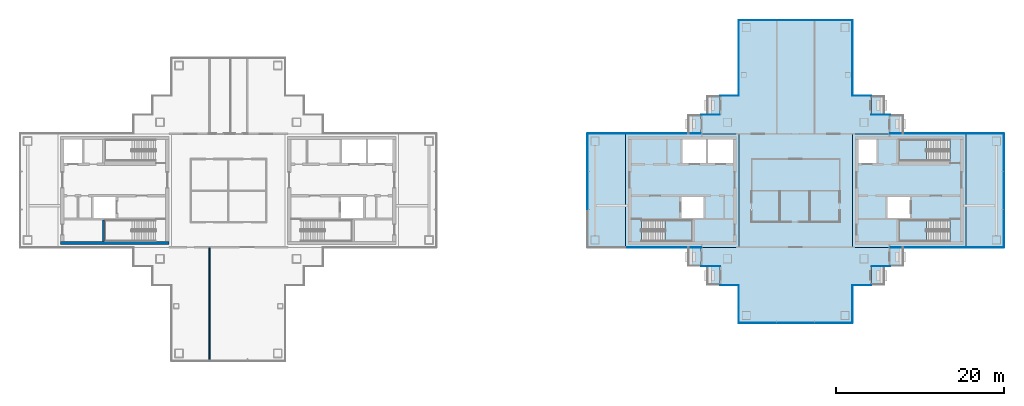
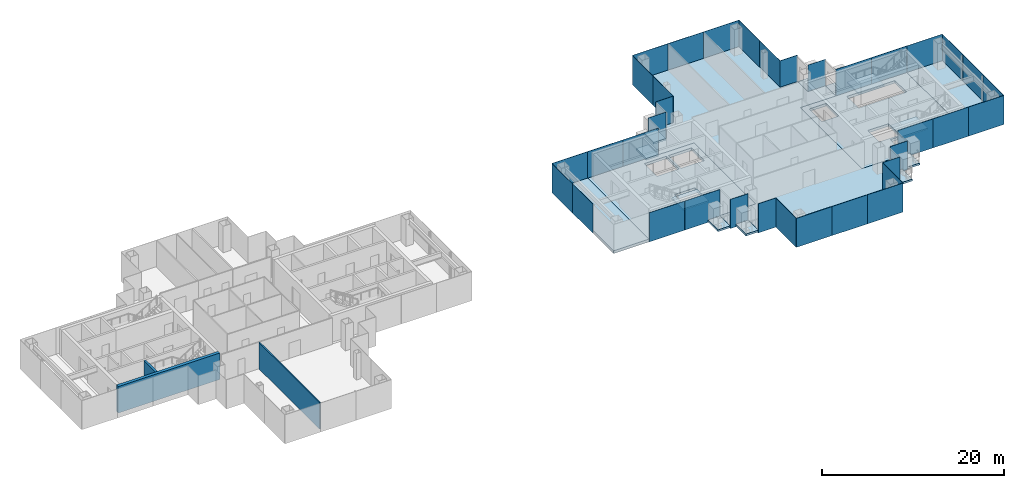
# One storey, part 8 of 16: 36 plates, 16 slabs, 3 walls, 22 elements without a shape of their own.
"""IFC4 building model written with IfcOpenShell, lengths in metres."""

from ifc_helpers import new_model, si_unit, direction, frame, frame_2d, origin, origin_2d, place, context, subcontext, project, spatial, polyline, rectangle, outline, extrude, material, layer, layer_set, type_object, element, aggregate, save


model = new_model("IFC4")

# Units and contexts
model_context = context("Model", 3, precision=1e-05, world=origin(), true_north=direction((0.0, 1.0)))
body_context = subcontext(model_context, "Body", "Model", "MODEL_VIEW")
ifc_project = project(units=[si_unit("LENGTHUNIT", "METRE"), si_unit("AREAUNIT", "SQUARE_METRE"), si_unit("VOLUMEUNIT", "CUBIC_METRE"), si_unit("PLANEANGLEUNIT", "RADIAN"), si_unit("MASSUNIT", "GRAM", prefix="KILO")], contexts=[model_context])

# Site, building, storey
site_placement = place(None, origin())
site = spatial("IfcSite", under=ifc_project, at=site_placement, CompositionType="ELEMENT")
building_placement = place(site_placement, origin())
building = spatial("IfcBuilding", under=site, at=building_placement, Name="Shamsa Quay Exchange Towers", CompositionType="ELEMENT")
storey_placement = place(building_placement, frame((0.0, 0.0, 186.60009765625)))
storey = spatial("IfcBuildingStorey", under=building, at=storey_placement, Name="L44", CompositionType="ELEMENT", Elevation=186.60009765625)

# Slabs
ifc_material_1 = material(Name="Precast concrete C40/50", Category="concrete")
ifc_layer_1 = layer(ifc_material_1, 0.25)
ifc_layer_set_1 = layer_set([ifc_layer_1], Name="BALCONY SLAB 250")
slab_type_1 = type_object("IfcSlabType", Name="BALCONY SLAB 250", PredefinedType="FLOOR", material=ifc_layer_set_1)
slab_1_placement = place(storey_placement, frame((0.0, 0.0, -0.25)))
element("IfcSlab", 1, at=slab_1_placement, inside=storey, type_object=slab_type_1, Name="Balcony T2-PKEN L44", PredefinedType="FLOOR", context=body_context, shape_type="SweptSolid", body=[
    extrude(outline(polyline([(24.75, 11.25), (24.75, 9.0380859375), (23.199951171875, 9.0380859375), (23.199951171875, 11.25), (24.75, 11.25)])), origin(), (0.0, 0.0, 1.0), 0.25),
])
slab_2_placement = place(storey_placement, frame((0.0, 0.0, -0.25)))
element("IfcSlab", 2, at=slab_2_placement, inside=storey, type_object=slab_type_1, Name="Balcony T2-PKEN L44", PredefinedType="FLOOR", context=body_context, shape_type="SweptSolid", body=[
    extrude(outline(polyline([(22.5, 9.0), (22.5, 6.7880859375), (20.949951171875, 6.7880859375), (20.949951171875, 9.0), (22.5, 9.0)])), origin(), (0.0, 0.0, 1.0), 0.25),
])
slab_3_placement = place(storey_placement, frame((0.0, 0.0, -0.25)))
element("IfcSlab", 3, at=slab_3_placement, inside=storey, type_object=slab_type_1, Name="Balcony T2-PKES L44", PredefinedType="FLOOR", context=body_context, shape_type="SweptSolid", body=[
    extrude(outline(polyline([(42.75, 9.0380859375), (42.75, 11.25), (44.300048828125, 11.25), (44.300048828125, 9.0380859375), (42.75, 9.0380859375)])), origin(), (0.0, 0.0, 1.0), 0.25),
])
slab_4_placement = place(storey_placement, frame((0.0, 0.0, -0.25)))
element("IfcSlab", 4, at=slab_4_placement, inside=storey, type_object=slab_type_1, Name="Balcony T2-PKES L44", PredefinedType="FLOOR", context=body_context, shape_type="SweptSolid", body=[
    extrude(outline(polyline([(45.0, 6.7880859375), (45.0, 9.0), (46.550048828125, 9.0), (46.550048828125, 6.7880859375), (45.0, 6.7880859375)])), origin(), (0.0, 0.0, 1.0), 0.25),
])
slab_5_placement = place(storey_placement, frame((0.0, 0.0, -0.25)))
element("IfcSlab", 5, at=slab_5_placement, inside=storey, type_object=slab_type_1, Name="Balcony T2-PKWN L44", PredefinedType="FLOOR", context=body_context, shape_type="SweptSolid", body=[
    extrude(outline(polyline([(22.5, -6.7880859375), (22.5, -9.0), (20.949951171875, -9.0), (20.949951171875, -6.7880859375), (22.5, -6.7880859375)])), origin(), (0.0, 0.0, 1.0), 0.25),
])
slab_6_placement = place(storey_placement, frame((0.0, 0.0, -0.25)))
element("IfcSlab", 6, at=slab_6_placement, inside=storey, type_object=slab_type_1, Name="Balcony T2-PKWN L44", PredefinedType="FLOOR", context=body_context, shape_type="SweptSolid", body=[
    extrude(outline(polyline([(24.75, -9.0380859375), (24.75, -11.25), (23.199951171875, -11.25), (23.199951171875, -9.0380859375), (24.75, -9.0380859375)])), origin(), (0.0, 0.0, 1.0), 0.25),
])
slab_7_placement = place(storey_placement, frame((0.0, 0.0, -0.25)))
element("IfcSlab", 7, at=slab_7_placement, inside=storey, type_object=slab_type_1, Name="Balcony T2-PKWS L44", PredefinedType="FLOOR", context=body_context, shape_type="SweptSolid", body=[
    extrude(outline(polyline([(42.75, -11.25), (42.75, -9.0380859375), (44.300048828125, -9.0380859375), (44.300048828125, -11.25), (42.75, -11.25)])), origin(), (0.0, 0.0, 1.0), 0.25),
])
slab_8_placement = place(storey_placement, frame((0.0, 0.0, -0.25)))
element("IfcSlab", 8, at=slab_8_placement, inside=storey, type_object=slab_type_1, Name="Balcony T2-PKWS L44", PredefinedType="FLOOR", context=body_context, shape_type="SweptSolid", body=[
    extrude(outline(polyline([(45.0, -9.0), (45.0, -6.7880859375), (46.550048828125, -6.7880859375), (46.550048828125, -9.0), (45.0, -9.0)])), origin(), (0.0, 0.0, 1.0), 0.25),
])
ifc_material_2 = material(Name="Concrete C50/60", Category="concrete")
ifc_layer_2 = layer(ifc_material_2, 0.35009765625)
ifc_layer_set_2 = layer_set([ifc_layer_2], Name="CORE FLOOR 350 C50/60")
slab_type_2 = type_object("IfcSlabType", Name="CORE FLOOR 350 C50/60", PredefinedType="FLOOR", material=ifc_layer_set_2)
slab_9_placement = place(storey_placement, frame((0.0, 0.0, -0.35009765625)))
element("IfcSlab", 9, at=slab_9_placement, inside=storey, type_object=slab_type_2, Name="Core floor T2A", PredefinedType="FLOOR", context=body_context, shape_type="SweptSolid", body=[
    extrude(outline(polyline([(13.5, -6.75), (27.0, -6.75), (27.0, 6.75), (13.5, 6.75), (13.5, -6.75)]), holes=[polyline([(15.400634765625, -6.050048828125), (15.400634765625, -3.5), (21.5, -3.5), (21.5, -6.050048828125), (15.400634765625, -6.050048828125)]), polyline([(20.300048828125, 3.25), (20.300048828125, 6.050048828125), (23.10009765625, 6.050048828125), (23.10009765625, 3.25), (20.300048828125, 3.25)]), polyline([(23.35009765625, 3.25), (23.35009765625, 6.050048828125), (26.300048828125, 6.050048828125), (26.300048828125, 3.25), (23.35009765625, 3.25)]), polyline([(20.14990234375, -3.25), (20.14990234375, -0.75), (22.800048828125, -0.75), (22.800048828125, -3.25), (20.14990234375, -3.25)])]), origin(), (0.0, 0.0, 1.0), 0.35009765625),
])
slab_10_placement = place(storey_placement, frame((0.0, 0.0, -0.35009765625)))
element("IfcSlab", 10, at=slab_10_placement, inside=storey, type_object=slab_type_2, Name="Core floor T2B", PredefinedType="FLOOR", context=body_context, shape_type="SweptSolid", body=[
    extrude(outline(polyline([(54.0, -6.75), (54.0, 6.75), (40.5, 6.75), (40.5, -6.75), (54.0, -6.75)]), holes=[polyline([(52.099365234375, -3.5), (52.099365234375, -6.050048828125), (46.0, -6.050048828125), (46.0, -3.5), (52.099365234375, -3.5)]), polyline([(52.099365234375, 6.050048828125), (52.099365234375, 3.5), (46.0, 3.5), (46.0, 6.050048828125), (52.099365234375, 6.050048828125)]), polyline([(43.35009765625, 3.25), (41.199951171875, 3.25), (41.199951171875, 6.050048828125), (43.35009765625, 6.050048828125), (43.35009765625, 3.25)]), polyline([(47.35009765625, -3.25), (44.699951171875, -3.25), (44.699951171875, -0.75), (47.35009765625, -0.75), (47.35009765625, -3.25)])]), origin(), (0.0, 0.0, 1.0), 0.35009765625),
])

# Stair, slab
ifc_material_3 = material(Name="Concrete C40/50", Category="concrete")
stair_type = type_object("IfcStairType", Name="EXIT STAIR 22 RISERS 177 MM", PredefinedType="HALF_TURN_STAIR", material=ifc_material_3)
stair_1_placement = place(storey_placement, origin())
stair_1 = element("IfcStair", 11, at=stair_1_placement, inside=storey, type_object=stair_type, Name="L44 Exit stair ST4", PredefinedType="HALF_TURN_STAIR")
ifc_layer_3 = layer(ifc_material_3, 0.199951171875)
ifc_layer_set_3 = layer_set([ifc_layer_3], Name="CORE STAIR LANDING")
slab_type_3 = type_object("IfcSlabType", Name="CORE STAIR LANDING", PredefinedType="LANDING", material=ifc_layer_set_3)
slab_11_placement = place(storey_placement, frame((0.0, 0.0, 1.75)))
slab_11 = element("IfcSlab", 12, at=slab_11_placement, type_object=slab_type_3, Name="ST4 landing 1", PredefinedType="LANDING", context=body_context, shape_type="SweptSolid", body=[
    extrude(outline(polyline([(18.199951171875, -6.050048828125), (21.5, -6.050048828125), (21.5, -3.5), (18.199951171875, -3.5), (18.199951171875, -6.050048828125)])), origin(), (0.0, 0.0, 1.0), 0.199951171875),
])
aggregate(stair_1, [slab_11])

stair_2_placement = place(storey_placement, origin())
stair_2 = element("IfcStair", 13, at=stair_2_placement, inside=storey, type_object=stair_type, Name="L44 Exit stair ST5", PredefinedType="HALF_TURN_STAIR")
slab_12_placement = place(storey_placement, frame((0.0, 0.0, 1.75)))
slab_12 = element("IfcSlab", 14, at=slab_12_placement, type_object=slab_type_3, Name="ST5 landing 1", PredefinedType="LANDING", context=body_context, shape_type="SweptSolid", body=[
    extrude(outline(polyline([(49.300048828125, -3.5), (46.0, -3.5), (46.0, -6.050048828125), (49.300048828125, -6.050048828125), (49.300048828125, -3.5)])), origin(), (0.0, 0.0, 1.0), 0.199951171875),
])
aggregate(stair_2, [slab_12])

stair_3_placement = place(storey_placement, origin())
stair_3 = element("IfcStair", 15, at=stair_3_placement, inside=storey, type_object=stair_type, Name="L44 Exit stair ST6", PredefinedType="HALF_TURN_STAIR")
slab_13_placement = place(storey_placement, frame((0.0, 0.0, 1.75)))
slab_13 = element("IfcSlab", 16, at=slab_13_placement, type_object=slab_type_3, Name="ST6 landing 1", PredefinedType="LANDING", context=body_context, shape_type="SweptSolid", body=[
    extrude(outline(polyline([(49.300048828125, 6.050048828125), (46.0, 6.050048828125), (46.0, 3.5), (49.300048828125, 3.5), (49.300048828125, 6.050048828125)])), origin(), (0.0, 0.0, 1.0), 0.199951171875),
])
aggregate(stair_3, [slab_13])

# Curtain wall, plate
ifc_material_4 = material(Name="Aluminium EN AW-6063 T6, black anodised", Category="aluminium")
ifc_layer_4 = layer(ifc_material_4, 0.280029296875)
ifc_layer_set_4 = layer_set([ifc_layer_4], Name="CW-1 UNITISED VISION GLASS")
curtain_wall_type_1 = type_object("IfcCurtainWallType", Name="CW-1 UNITISED VISION GLASS", PredefinedType="NOTDEFINED", material=ifc_layer_set_4)
curtain_wall_1_placement = place(storey_placement, origin())
curtain_wall_1 = element("IfcCurtainWall", 17, at=curtain_wall_1_placement, inside=storey, type_object=curtain_wall_type_1, Name="CW1 T2-FLK-V-W L44", PredefinedType="NOTDEFINED")
ifc_material_5 = material(Name="Glass, laminated, dark tinted", Category="glass")
ifc_layer_5 = layer(ifc_material_5, 0.0400390625)
ifc_layer_set_5 = layer_set([ifc_layer_5], Name="CW-1 VISION GLASS 40")
plate_type_1 = type_object("IfcPlateType", Name="CW-1 VISION GLASS 40", PredefinedType="CURTAIN_PANEL", material=ifc_layer_set_5)
plate_1_placement = place(storey_placement, frame((56.25, -6.77001953125, -0.35009765625)))
plate_1 = element("IfcPlate", 18, at=plate_1_placement, type_object=plate_type_1, Name="CW1 glass panel", PredefinedType="CURTAIN_PANEL", context=body_context, shape_type="SweptSolid", body=[
    extrude(rectangle(XDim=4.5, YDim=0.0400390625, at=origin_2d()), origin(), (0.0, 0.0, 1.0), 3.89990234375),
])
aggregate(curtain_wall_1, [plate_1])

# Curtain wall, plates
curtain_wall_2_placement = place(storey_placement, origin())
curtain_wall_2 = element("IfcCurtainWall", 19, at=curtain_wall_2_placement, inside=storey, type_object=curtain_wall_type_1, Name="CW1 T2-END-V- L44", PredefinedType="NOTDEFINED")
plate_2_placement = place(storey_placement, frame((58.52001953125, -4.50244140625, -0.35009765625), z_axis=(0.0, 0.0, 1.0), x_axis=(0.0, 1.0, 0.0)))
plate_2 = element("IfcPlate", 20, at=plate_2_placement, type_object=plate_type_1, Name="CW1 glass panel", PredefinedType="CURTAIN_PANEL", context=body_context, shape_type="SweptSolid", body=[
    extrude(rectangle(XDim=4.4951171875, YDim=0.0400390625, at=origin_2d()), origin(), (0.0, 0.0, 1.0), 3.89990234375),
])
plate_3_placement = place(storey_placement, frame((58.52001953125, 0.0, -0.35009765625), z_axis=(0.0, 0.0, 1.0), x_axis=(0.0, 1.0, 0.0)))
plate_3 = element("IfcPlate", 21, at=plate_3_placement, type_object=plate_type_1, Name="CW1 glass panel", PredefinedType="CURTAIN_PANEL", context=body_context, shape_type="SweptSolid", body=[
    extrude(rectangle(XDim=4.489990234375, YDim=0.0400390625, at=origin_2d()), origin(), (0.0, 0.0, 1.0), 3.89990234375),
])
plate_4_placement = place(storey_placement, frame((58.52001953125, 4.50244140625, -0.35009765625), z_axis=(0.0, 0.0, 1.0), x_axis=(0.0, 1.0, 0.0)))
plate_4 = element("IfcPlate", 22, at=plate_4_placement, type_object=plate_type_1, Name="CW1 glass panel", PredefinedType="CURTAIN_PANEL", context=body_context, shape_type="SweptSolid", body=[
    extrude(rectangle(XDim=4.4951171875, YDim=0.0400390625, at=origin_2d()), origin(), (0.0, 0.0, 1.0), 3.89990234375),
])
aggregate(curtain_wall_2, [plate_2, plate_3, plate_4])

# Curtain wall, plate
curtain_wall_3_placement = place(storey_placement, origin())
curtain_wall_3 = element("IfcCurtainWall", 23, at=curtain_wall_3_placement, inside=storey, type_object=curtain_wall_type_1, Name="CW1 T2-FLK-V-E L44", PredefinedType="NOTDEFINED")
plate_5_placement = place(storey_placement, frame((56.25, 6.77001953125, -0.35009765625), z_axis=(0.0, 0.0, 1.0), x_axis=(-1.0, 0.0, 0.0)))
plate_5 = element("IfcPlate", 24, at=plate_5_placement, type_object=plate_type_1, Name="CW1 glass panel", PredefinedType="CURTAIN_PANEL", context=body_context, shape_type="SweptSolid", body=[
    extrude(rectangle(XDim=4.5, YDim=0.0400390625, at=origin_2d()), origin(), (0.0, 0.0, 1.0), 3.89990234375),
])
aggregate(curtain_wall_3, [plate_5])

# Curtain wall, plates
curtain_wall_4_placement = place(storey_placement, origin())
curtain_wall_4 = element("IfcCurtainWall", 25, at=curtain_wall_4_placement, inside=storey, type_object=curtain_wall_type_1, Name="CW1 T2-FLK-U+S L44", PredefinedType="NOTDEFINED")
plate_6_placement = place(storey_placement, frame((40.52001953125, 13.52587890625, -0.35009765625), z_axis=(0.0, 0.0, 1.0), x_axis=(0.0, 1.0, 0.0)))
plate_6 = element("IfcPlate", 26, at=plate_6_placement, type_object=plate_type_1, Name="CW1 glass panel", PredefinedType="CURTAIN_PANEL", context=body_context, shape_type="SweptSolid", body=[
    extrude(rectangle(XDim=4.47607421875, YDim=0.0400390625, at=origin_2d()), origin(), (0.0, 0.0, 1.0), 3.89990234375),
])
plate_7_placement = place(storey_placement, frame((40.52001953125, 18.011962890625, -0.35009765625), z_axis=(0.0, 0.0, 1.0), x_axis=(0.0, 1.0, 0.0)))
plate_7 = element("IfcPlate", 27, at=plate_7_placement, type_object=plate_type_1, Name="CW1 glass panel", PredefinedType="CURTAIN_PANEL", context=body_context, shape_type="SweptSolid", body=[
    extrude(rectangle(XDim=4.47607421875, YDim=0.0400390625, at=origin_2d()), origin(), (0.0, 0.0, 1.0), 3.89990234375),
])
aggregate(curtain_wall_4, [plate_6, plate_7])

curtain_wall_5_placement = place(storey_placement, origin())
curtain_wall_5 = element("IfcCurtainWall", 28, at=curtain_wall_5_placement, inside=storey, type_object=curtain_wall_type_1, Name="CW1 T2-END-U+ L44", PredefinedType="NOTDEFINED")
plate_8_placement = place(storey_placement, frame((38.25244140625, 20.27001953125, -0.35009765625), z_axis=(0.0, 0.0, 1.0), x_axis=(-1.0, 0.0, 0.0)))
plate_8 = element("IfcPlate", 29, at=plate_8_placement, type_object=plate_type_1, Name="CW1 glass panel", PredefinedType="CURTAIN_PANEL", context=body_context, shape_type="SweptSolid", body=[
    extrude(rectangle(XDim=4.4951171875, YDim=0.0400390625, at=origin_2d()), origin(), (0.0, 0.0, 1.0), 3.89990234375),
])
plate_9_placement = place(storey_placement, frame((33.75, 20.27001953125, -0.35009765625), z_axis=(0.0, 0.0, 1.0), x_axis=(-1.0, 0.0, 0.0)))
plate_9 = element("IfcPlate", 30, at=plate_9_placement, type_object=plate_type_1, Name="CW1 glass panel", PredefinedType="CURTAIN_PANEL", context=body_context, shape_type="SweptSolid", body=[
    extrude(rectangle(XDim=4.489990234375, YDim=0.0400390625, at=origin_2d()), origin(), (0.0, 0.0, 1.0), 3.89990234375),
])
plate_10_placement = place(storey_placement, frame((29.24755859375, 20.27001953125, -0.35009765625), z_axis=(0.0, 0.0, 1.0), x_axis=(-1.0, 0.0, 0.0)))
plate_10 = element("IfcPlate", 31, at=plate_10_placement, type_object=plate_type_1, Name="CW1 glass panel", PredefinedType="CURTAIN_PANEL", context=body_context, shape_type="SweptSolid", body=[
    extrude(rectangle(XDim=4.4951171875, YDim=0.0400390625, at=origin_2d()), origin(), (0.0, 0.0, 1.0), 3.89990234375),
])
aggregate(curtain_wall_5, [plate_8, plate_9, plate_10])

curtain_wall_6_placement = place(storey_placement, origin())
curtain_wall_6 = element("IfcCurtainWall", 32, at=curtain_wall_6_placement, inside=storey, type_object=curtain_wall_type_1, Name="CW1 T2-FLK-U+N L44", PredefinedType="NOTDEFINED")
plate_11_placement = place(storey_placement, frame((26.97998046875, 18.00244140625, -0.35009765625), z_axis=(0.0, 0.0, 1.0), x_axis=(0.0, -1.0, 0.0)))
plate_11 = element("IfcPlate", 33, at=plate_11_placement, type_object=plate_type_1, Name="CW1 glass panel", PredefinedType="CURTAIN_PANEL", context=body_context, shape_type="SweptSolid", body=[
    extrude(rectangle(XDim=4.4951171875, YDim=0.0400390625, at=origin_2d()), origin(), (0.0, 0.0, 1.0), 3.89990234375),
])
plate_12_placement = place(storey_placement, frame((26.97998046875, 13.49755859375, -0.35009765625), z_axis=(0.0, 0.0, 1.0), x_axis=(0.0, -1.0, 0.0)))
plate_12 = element("IfcPlate", 34, at=plate_12_placement, type_object=plate_type_1, Name="CW1 glass panel", PredefinedType="CURTAIN_PANEL", context=body_context, shape_type="SweptSolid", body=[
    extrude(rectangle(XDim=4.4951171875, YDim=0.0400390625, at=origin_2d()), origin(), (0.0, 0.0, 1.0), 3.89990234375),
])
aggregate(curtain_wall_6, [plate_11, plate_12])

# Curtain wall, plate
curtain_wall_7_placement = place(storey_placement, origin())
curtain_wall_7 = element("IfcCurtainWall", 35, at=curtain_wall_7_placement, inside=storey, type_object=curtain_wall_type_1, Name="CW1 T2-FLK-V+E L44", PredefinedType="NOTDEFINED")
plate_13_placement = place(storey_placement, frame((11.25, 6.77001953125, -0.35009765625), z_axis=(0.0, 0.0, 1.0), x_axis=(-1.0, 0.0, 0.0)))
plate_13 = element("IfcPlate", 36, at=plate_13_placement, type_object=plate_type_1, Name="CW1 glass panel", PredefinedType="CURTAIN_PANEL", context=body_context, shape_type="SweptSolid", body=[
    extrude(rectangle(XDim=4.5, YDim=0.0400390625, at=origin_2d()), origin(), (0.0, 0.0, 1.0), 3.89990234375),
])
aggregate(curtain_wall_7, [plate_13])

# Curtain wall, plates
curtain_wall_8_placement = place(storey_placement, origin())
curtain_wall_8 = element("IfcCurtainWall", 37, at=curtain_wall_8_placement, inside=storey, type_object=curtain_wall_type_1, Name="CW1 T2-END-V+ L44", PredefinedType="NOTDEFINED")
plate_14_placement = place(storey_placement, frame((8.97998046875, 4.50244140625, -0.35009765625), z_axis=(0.0, 0.0, 1.0), x_axis=(0.0, -1.0, 0.0)))
plate_14 = element("IfcPlate", 38, at=plate_14_placement, type_object=plate_type_1, Name="CW1 glass panel", PredefinedType="CURTAIN_PANEL", context=body_context, shape_type="SweptSolid", body=[
    extrude(rectangle(XDim=4.4951171875, YDim=0.0400390625, at=origin_2d()), origin(), (0.0, 0.0, 1.0), 3.89990234375),
])
plate_15_placement = place(storey_placement, frame((8.97998046875, 0.0, -0.35009765625), z_axis=(0.0, 0.0, 1.0), x_axis=(0.0, -1.0, 0.0)))
plate_15 = element("IfcPlate", 39, at=plate_15_placement, type_object=plate_type_1, Name="CW1 glass panel", PredefinedType="CURTAIN_PANEL", context=body_context, shape_type="SweptSolid", body=[
    extrude(rectangle(XDim=4.489990234375, YDim=0.0400390625, at=origin_2d()), origin(), (0.0, 0.0, 1.0), 3.89990234375),
])
aggregate(curtain_wall_8, [plate_14, plate_15])

# Curtain wall, plate
curtain_wall_9_placement = place(storey_placement, origin())
curtain_wall_9 = element("IfcCurtainWall", 40, at=curtain_wall_9_placement, inside=storey, type_object=curtain_wall_type_1, Name="CW1 T2-FLK-U-N L44", PredefinedType="NOTDEFINED")
plate_16_placement = place(storey_placement, frame((26.97998046875, -13.51904296875, -0.35009765625), z_axis=(0.0, 0.0, 1.0), x_axis=(0.0, -1.0, 0.0)))
plate_16 = element("IfcPlate", 41, at=plate_16_placement, type_object=plate_type_1, Name="CW1 glass panel", PredefinedType="CURTAIN_PANEL", context=body_context, shape_type="SweptSolid", body=[
    extrude(rectangle(XDim=4.4619140625, YDim=0.0400390625, at=origin_2d()), origin(), (0.0, 0.0, 1.0), 3.89990234375),
])
aggregate(curtain_wall_9, [plate_16])

# Curtain wall, plates
curtain_wall_10_placement = place(storey_placement, origin())
curtain_wall_10 = element("IfcCurtainWall", 42, at=curtain_wall_10_placement, inside=storey, type_object=curtain_wall_type_1, Name="CW1 T2-END-U- L44", PredefinedType="NOTDEFINED")
plate_17_placement = place(storey_placement, frame((29.24755859375, -15.77001953125, -0.35009765625)))
plate_17 = element("IfcPlate", 43, at=plate_17_placement, type_object=plate_type_1, Name="CW1 glass panel", PredefinedType="CURTAIN_PANEL", context=body_context, shape_type="SweptSolid", body=[
    extrude(rectangle(XDim=4.4951171875, YDim=0.0400390625, at=origin_2d()), origin(), (0.0, 0.0, 1.0), 3.89990234375),
])
plate_18_placement = place(storey_placement, frame((33.75, -15.77001953125, -0.35009765625)))
plate_18 = element("IfcPlate", 44, at=plate_18_placement, type_object=plate_type_1, Name="CW1 glass panel", PredefinedType="CURTAIN_PANEL", context=body_context, shape_type="SweptSolid", body=[
    extrude(rectangle(XDim=4.489990234375, YDim=0.0400390625, at=origin_2d()), origin(), (0.0, 0.0, 1.0), 3.89990234375),
])
plate_19_placement = place(storey_placement, frame((38.25244140625, -15.77001953125, -0.35009765625)))
plate_19 = element("IfcPlate", 45, at=plate_19_placement, type_object=plate_type_1, Name="CW1 glass panel", PredefinedType="CURTAIN_PANEL", context=body_context, shape_type="SweptSolid", body=[
    extrude(rectangle(XDim=4.4951171875, YDim=0.0400390625, at=origin_2d()), origin(), (0.0, 0.0, 1.0), 3.89990234375),
])
aggregate(curtain_wall_10, [plate_17, plate_18, plate_19])

# Curtain wall, plate
curtain_wall_11_placement = place(storey_placement, origin())
curtain_wall_11 = element("IfcCurtainWall", 46, at=curtain_wall_11_placement, inside=storey, type_object=curtain_wall_type_1, Name="CW1 T2-FLK-U-S L44", PredefinedType="NOTDEFINED")
plate_20_placement = place(storey_placement, frame((40.52001953125, -13.5, -0.35009765625), z_axis=(0.0, 0.0, 1.0), x_axis=(0.0, 1.0, 0.0)))
plate_20 = element("IfcPlate", 47, at=plate_20_placement, type_object=plate_type_1, Name="CW1 glass panel", PredefinedType="CURTAIN_PANEL", context=body_context, shape_type="SweptSolid", body=[
    extrude(rectangle(XDim=4.5, YDim=0.0400390625, at=origin_2d()), origin(), (0.0, 0.0, 1.0), 3.89990234375),
])
aggregate(curtain_wall_11, [plate_20])

# Curtain wall, plates
ifc_layer_6 = layer(ifc_material_4, 0.303955078125)
ifc_layer_set_6 = layer_set([ifc_layer_6], Name="CW-2 UNITISED OPAQUE SPANDREL GLASS")
curtain_wall_type_2 = type_object("IfcCurtainWallType", Name="CW-2 UNITISED OPAQUE SPANDREL GLASS", PredefinedType="NOTDEFINED", material=ifc_layer_set_6)
curtain_wall_12_placement = place(storey_placement, origin())
curtain_wall_12 = element("IfcCurtainWall", 48, at=curtain_wall_12_placement, inside=storey, type_object=curtain_wall_type_2, Name="CW2 T2-FLK-V-W L44", PredefinedType="NOTDEFINED")
ifc_material_6 = material(Name="Glass, laminated, black enamelled opaque", Category="glass")
ifc_layer_7 = layer(ifc_material_6, 0.0439453125)
ifc_layer_set_7 = layer_set([ifc_layer_7], Name="CW-2 SPANDREL GLASS 44")
plate_type_2 = type_object("IfcPlateType", Name="CW-2 SPANDREL GLASS 44", PredefinedType="CURTAIN_PANEL", material=ifc_layer_set_7)
plate_21_placement = place(storey_placement, frame((47.27587890625, -6.77197265625, -0.35009765625)))
plate_21 = element("IfcPlate", 49, at=plate_21_placement, type_object=plate_type_2, Name="CW2 glass panel", PredefinedType="CURTAIN_PANEL", context=body_context, shape_type="SweptSolid", body=[
    extrude(rectangle(XDim=4.47607421875, YDim=0.0439453125, at=origin_2d()), origin(), (0.0, 0.0, 1.0), 3.89990234375),
])
plate_22_placement = place(storey_placement, frame((51.761962890625, -6.77197265625, -0.35009765625)))
plate_22 = element("IfcPlate", 50, at=plate_22_placement, type_object=plate_type_2, Name="CW2 glass panel", PredefinedType="CURTAIN_PANEL", context=body_context, shape_type="SweptSolid", body=[
    extrude(rectangle(XDim=4.47607421875, YDim=0.0439453125, at=origin_2d()), origin(), (0.0, 0.0, 1.0), 3.89990234375),
])
aggregate(curtain_wall_12, [plate_21, plate_22])

curtain_wall_13_placement = place(storey_placement, origin())
curtain_wall_13 = element("IfcCurtainWall", 51, at=curtain_wall_13_placement, inside=storey, type_object=curtain_wall_type_2, Name="CW2 T2-FLK-V-E L44", PredefinedType="NOTDEFINED")
plate_23_placement = place(storey_placement, frame((51.75244140625, 6.77197265625, -0.35009765625), z_axis=(0.0, 0.0, 1.0), x_axis=(-1.0, 0.0, 0.0)))
plate_23 = element("IfcPlate", 52, at=plate_23_placement, type_object=plate_type_2, Name="CW2 glass panel", PredefinedType="CURTAIN_PANEL", context=body_context, shape_type="SweptSolid", body=[
    extrude(rectangle(XDim=4.4951171875, YDim=0.0439453125, at=origin_2d()), origin(), (0.0, 0.0, 1.0), 3.89990234375),
])
plate_24_placement = place(storey_placement, frame((47.24755859375, 6.77197265625, -0.35009765625), z_axis=(0.0, 0.0, 1.0), x_axis=(-1.0, 0.0, 0.0)))
plate_24 = element("IfcPlate", 53, at=plate_24_placement, type_object=plate_type_2, Name="CW2 glass panel", PredefinedType="CURTAIN_PANEL", context=body_context, shape_type="SweptSolid", body=[
    extrude(rectangle(XDim=4.4951171875, YDim=0.0439453125, at=origin_2d()), origin(), (0.0, 0.0, 1.0), 3.89990234375),
])
aggregate(curtain_wall_13, [plate_23, plate_24])

curtain_wall_14_placement = place(storey_placement, origin())
curtain_wall_14 = element("IfcCurtainWall", 54, at=curtain_wall_14_placement, inside=storey, type_object=curtain_wall_type_2, Name="CW2 T2-FLK-V+E L44", PredefinedType="NOTDEFINED")
plate_25_placement = place(storey_placement, frame((20.22412109375, 6.77197265625, -0.35009765625), z_axis=(0.0, 0.0, 1.0), x_axis=(-1.0, 0.0, 0.0)))
plate_25 = element("IfcPlate", 55, at=plate_25_placement, type_object=plate_type_2, Name="CW2 glass panel", PredefinedType="CURTAIN_PANEL", context=body_context, shape_type="SweptSolid", body=[
    extrude(rectangle(XDim=4.47607421875, YDim=0.0439453125, at=origin_2d()), origin(), (0.0, 0.0, 1.0), 3.89990234375),
])
plate_26_placement = place(storey_placement, frame((15.738037109375, 6.77197265625, -0.35009765625), z_axis=(0.0, 0.0, 1.0), x_axis=(-1.0, 0.0, 0.0)))
plate_26 = element("IfcPlate", 56, at=plate_26_placement, type_object=plate_type_2, Name="CW2 glass panel", PredefinedType="CURTAIN_PANEL", context=body_context, shape_type="SweptSolid", body=[
    extrude(rectangle(XDim=4.47607421875, YDim=0.0439453125, at=origin_2d()), origin(), (0.0, 0.0, 1.0), 3.89990234375),
])
aggregate(curtain_wall_14, [plate_25, plate_26])

curtain_wall_15_placement = place(storey_placement, origin())
curtain_wall_15 = element("IfcCurtainWall", 57, at=curtain_wall_15_placement, inside=storey, type_object=curtain_wall_type_2, Name="CW2 T2-FLK-V+W L44", PredefinedType="NOTDEFINED")
plate_27_placement = place(storey_placement, frame((15.74755859375, -6.77197265625, -0.35009765625)))
plate_27 = element("IfcPlate", 58, at=plate_27_placement, type_object=plate_type_2, Name="CW2 glass panel", PredefinedType="CURTAIN_PANEL", context=body_context, shape_type="SweptSolid", body=[
    extrude(rectangle(XDim=4.4951171875, YDim=0.0439453125, at=origin_2d()), origin(), (0.0, 0.0, 1.0), 3.89990234375),
])
plate_28_placement = place(storey_placement, frame((20.25244140625, -6.77197265625, -0.35009765625)))
plate_28 = element("IfcPlate", 59, at=plate_28_placement, type_object=plate_type_2, Name="CW2 glass panel", PredefinedType="CURTAIN_PANEL", context=body_context, shape_type="SweptSolid", body=[
    extrude(rectangle(XDim=4.4951171875, YDim=0.0439453125, at=origin_2d()), origin(), (0.0, 0.0, 1.0), 3.89990234375),
])
aggregate(curtain_wall_15, [plate_27, plate_28])

ifc_layer_8 = layer(ifc_material_4, 0.256103515625)
ifc_layer_set_8 = layer_set([ifc_layer_8], Name="CW-4 POCKET SERRATED GLAZING")
curtain_wall_type_3 = type_object("IfcCurtainWallType", Name="CW-4 POCKET SERRATED GLAZING", PredefinedType="NOTDEFINED", material=ifc_layer_set_8)
curtain_wall_16_placement = place(storey_placement, origin())
curtain_wall_16 = element("IfcCurtainWall", 60, at=curtain_wall_16_placement, inside=storey, type_object=curtain_wall_type_3, Name="CW4 PKWS L44", PredefinedType="NOTDEFINED")
ifc_layer_9 = layer(ifc_material_5, 0.035888671875)
ifc_layer_set_9 = layer_set([ifc_layer_9], Name="CW-4 POCKET GLASS 36")
plate_type_3 = type_object("IfcPlateType", Name="CW-4 POCKET GLASS 36", PredefinedType="CURTAIN_PANEL", material=ifc_layer_set_9)
plate_29_placement = place(storey_placement, frame((43.89404296875, -9.01806640625, -0.35009765625)))
plate_29 = element("IfcPlate", 61, at=plate_29_placement, type_object=plate_type_3, Name="CW4 glass panel", PredefinedType="CURTAIN_PANEL", context=body_context, shape_type="SweptSolid", body=[
    extrude(rectangle(XDim=2.2119140625, YDim=0.035888671875, at=origin_2d()), origin(), (0.0, 0.0, 1.0), 3.89990234375),
])
plate_30_placement = place(storey_placement, frame((41.64599609375, -11.26806640625, -0.35009765625)))
plate_30 = element("IfcPlate", 62, at=plate_30_placement, type_object=plate_type_3, Name="CW4 glass panel", PredefinedType="CURTAIN_PANEL", context=body_context, shape_type="SweptSolid", body=[
    extrude(rectangle(XDim=2.2080078125, YDim=0.035888671875, at=origin_2d()), origin(), (0.0, 0.0, 1.0), 3.89990234375),
])
aggregate(curtain_wall_16, [plate_29, plate_30])

curtain_wall_17_placement = place(storey_placement, origin())
curtain_wall_17 = element("IfcCurtainWall", 63, at=curtain_wall_17_placement, inside=storey, type_object=curtain_wall_type_3, Name="CW4 PKES L44", PredefinedType="NOTDEFINED")
plate_31_placement = place(storey_placement, frame((43.875, 9.01806640625, -0.35009765625), z_axis=(0.0, 0.0, 1.0), x_axis=(-1.0, 0.0, 0.0)))
plate_31 = element("IfcPlate", 64, at=plate_31_placement, type_object=plate_type_3, Name="CW4 glass panel", PredefinedType="CURTAIN_PANEL", context=body_context, shape_type="SweptSolid", body=[
    extrude(rectangle(XDim=2.25, YDim=0.035888671875, at=origin_2d()), origin(), (0.0, 0.0, 1.0), 3.89990234375),
])
plate_32_placement = place(storey_placement, frame((41.625, 11.26806640625, -0.35009765625), z_axis=(0.0, 0.0, 1.0), x_axis=(-1.0, 0.0, 0.0)))
plate_32 = element("IfcPlate", 65, at=plate_32_placement, type_object=plate_type_3, Name="CW4 glass panel", PredefinedType="CURTAIN_PANEL", context=body_context, shape_type="SweptSolid", body=[
    extrude(rectangle(XDim=2.25, YDim=0.035888671875, at=origin_2d()), origin(), (0.0, 0.0, 1.0), 3.89990234375),
])
aggregate(curtain_wall_17, [plate_31, plate_32])

curtain_wall_18_placement = place(storey_placement, origin())
curtain_wall_18 = element("IfcCurtainWall", 66, at=curtain_wall_18_placement, inside=storey, type_object=curtain_wall_type_3, Name="CW4 PKEN L44", PredefinedType="NOTDEFINED")
plate_33_placement = place(storey_placement, frame((25.85400390625, 11.26806640625, -0.35009765625), z_axis=(0.0, 0.0, 1.0), x_axis=(-1.0, 0.0, 0.0)))
plate_33 = element("IfcPlate", 67, at=plate_33_placement, type_object=plate_type_3, Name="CW4 glass panel", PredefinedType="CURTAIN_PANEL", context=body_context, shape_type="SweptSolid", body=[
    extrude(rectangle(XDim=2.2080078125, YDim=0.035888671875, at=origin_2d()), origin(), (0.0, 0.0, 1.0), 3.89990234375),
])
plate_34_placement = place(storey_placement, frame((23.60595703125, 9.01806640625, -0.35009765625), z_axis=(0.0, 0.0, 1.0), x_axis=(-1.0, 0.0, 0.0)))
plate_34 = element("IfcPlate", 68, at=plate_34_placement, type_object=plate_type_3, Name="CW4 glass panel", PredefinedType="CURTAIN_PANEL", context=body_context, shape_type="SweptSolid", body=[
    extrude(rectangle(XDim=2.2119140625, YDim=0.035888671875, at=origin_2d()), origin(), (0.0, 0.0, 1.0), 3.89990234375),
])
aggregate(curtain_wall_18, [plate_33, plate_34])

curtain_wall_19_placement = place(storey_placement, origin())
curtain_wall_19 = element("IfcCurtainWall", 69, at=curtain_wall_19_placement, inside=storey, type_object=curtain_wall_type_3, Name="CW4 PKWN L44", PredefinedType="NOTDEFINED")
plate_35_placement = place(storey_placement, frame((23.625, -9.01806640625, -0.35009765625)))
plate_35 = element("IfcPlate", 70, at=plate_35_placement, type_object=plate_type_3, Name="CW4 glass panel", PredefinedType="CURTAIN_PANEL", context=body_context, shape_type="SweptSolid", body=[
    extrude(rectangle(XDim=2.25, YDim=0.035888671875, at=origin_2d()), origin(), (0.0, 0.0, 1.0), 3.89990234375),
])
plate_36_placement = place(storey_placement, frame((25.875, -11.26806640625, -0.35009765625)))
plate_36 = element("IfcPlate", 71, at=plate_36_placement, type_object=plate_type_3, Name="CW4 glass panel", PredefinedType="CURTAIN_PANEL", context=body_context, shape_type="SweptSolid", body=[
    extrude(rectangle(XDim=2.25, YDim=0.035888671875, at=origin_2d()), origin(), (0.0, 0.0, 1.0), 3.89990234375),
])
aggregate(curtain_wall_19, [plate_35, plate_36])

# Slabs
ifc_layer_10 = layer(ifc_material_3, 0.35009765625)
ifc_layer_set_10 = layer_set([ifc_layer_10], Name="Flat slab 350")
slab_type_4 = type_object("IfcSlabType", Name="Flat slab 350", PredefinedType="FLOOR", material=ifc_layer_set_10)
slab_14_placement = place(storey_placement, frame((0.0, 0.0, -0.35009765625)))
element("IfcSlab", 72, at=slab_14_placement, inside=storey, type_object=slab_type_4, Name="Flat slab T2 L44 4", PredefinedType="FLOOR", context=body_context, shape_type="SweptSolid", body=[
    extrude(outline(polyline([(9.0, -6.75), (13.5, -6.75), (13.5, 6.75), (9.0, 6.75), (9.0, -6.75)])), origin(), (0.0, 0.0, 1.0), 0.35009765625),
])
slab_15_placement = place(storey_placement, frame((0.0, 0.0, -0.35009765625)))
element("IfcSlab", 73, at=slab_15_placement, inside=storey, type_object=slab_type_4, Name="Flat slab T2 L44 5", PredefinedType="FLOOR", context=body_context, shape_type="SweptSolid", body=[
    extrude(outline(polyline([(45.0, -9.0), (45.0, -6.75), (40.5, -6.75), (40.5, 6.75), (45.0, 6.75), (45.0, 9.0), (42.75, 9.0), (42.75, 11.25), (40.5, 11.25), (40.5, 20.25), (27.0, 20.25), (27.0, 11.25), (24.75, 11.25), (24.75, 9.0), (22.5, 9.0), (22.5, 6.75), (27.0, 6.75), (27.0, -6.75), (22.5, -6.75), (22.5, -9.0), (24.75, -9.0), (24.75, -11.25), (27.0, -11.25), (27.0, -15.75), (40.5, -15.75), (40.5, -11.25), (42.75, -11.25), (42.75, -9.0), (45.0, -9.0)])), origin(), (0.0, 0.0, 1.0), 0.35009765625),
])
slab_16_placement = place(storey_placement, frame((0.0, 0.0, -0.35009765625)))
element("IfcSlab", 74, at=slab_16_placement, inside=storey, type_object=slab_type_4, Name="Flat slab T2 L44 6", PredefinedType="FLOOR", context=body_context, shape_type="SweptSolid", body=[
    extrude(outline(polyline([(58.5, 6.75), (54.0, 6.75), (54.0, -6.75), (58.5, -6.75), (58.5, 6.75)])), origin(), (0.0, 0.0, 1.0), 0.35009765625),
])

# Walls
ifc_material_7 = material(Name="Concrete C60/75", Category="concrete")
ifc_layer_11 = layer(ifc_material_7, 0.39990234375)
ifc_layer_set_11 = layer_set([ifc_layer_11], Name="CORE WALL 400 C60/75")
wall_type_1 = type_object("IfcWallType", Name="CORE WALL 400 C60/75", PredefinedType="SHEAR", material=ifc_layer_set_11)
wall_1_placement = place(storey_placement, frame((-40.800048828125, -6.25, 0.0), z_axis=(0.0, 0.0, 1.0), x_axis=(-1.0, 0.0, 0.0)))
element("IfcWall", 75, at=wall_1_placement, inside=storey, type_object=wall_type_1, Name="Core wall T1B-R20-PS", PredefinedType="SHEAR", context=body_context, shape_type="SweptSolid", body=[
    extrude(rectangle(XDim=12.89990234375, YDim=0.39990234375, at=frame_2d((6.449951171875, 0.0))), origin(), (0.0, 0.0, 1.0), 3.5498046875),
])
ifc_material_8 = material(Name="Gypsum board partition on metal studs")
ifc_layer_12 = layer(ifc_material_8, 0.14990234375)
ifc_layer_set_12 = layer_set([ifc_layer_12], Name="Partition 150 mm EI 60")
wall_type_2 = type_object("IfcWallType", Name="Partition 150 mm EI 60", PredefinedType="PARTITIONING", material=ifc_layer_set_12)
wall_2_placement = place(storey_placement, frame((-36.0, -20.155029296875, 0.0), z_axis=(0.0, 0.0, 1.0), x_axis=(0.0, 1.0, 0.0)))
element("IfcWall", 76, at=wall_2_placement, inside=storey, type_object=wall_type_2, Name="Partition T1-R20-W11", PredefinedType="PARTITIONING", context=body_context, shape_type="SweptSolid", body=[
    extrude(rectangle(XDim=13.330078125, YDim=0.14990234375, at=frame_2d((6.6650390625, 0.0))), origin(), (0.0, 0.0, 1.0), 3.5498046875),
])
ifc_layer_13 = layer(ifc_material_2, 0.25)
ifc_layer_set_13 = layer_set([ifc_layer_13], Name="SHAFT WALL 250 C50/60")
wall_type_3 = type_object("IfcWallType", Name="SHAFT WALL 250 C50/60", PredefinedType="SHEAR", material=ifc_layer_set_13)
wall_3_placement = place(storey_placement, frame((-48.625, -6.050048828125, 0.0), z_axis=(0.0, 0.0, 1.0), x_axis=(0.0, 1.0, 0.0)))
element("IfcWall", 77, at=wall_3_placement, inside=storey, type_object=wall_type_3, Name="Shaft wall T1B-R20-STF", PredefinedType="SHEAR", context=body_context, shape_type="SweptSolid", body=[
    extrude(rectangle(XDim=2.550048828125, YDim=0.25, at=frame_2d((1.27490234375, 0.0))), origin(), (0.0, 0.0, 1.0), 3.5498046875),
])

save(model, "model.ifc")
